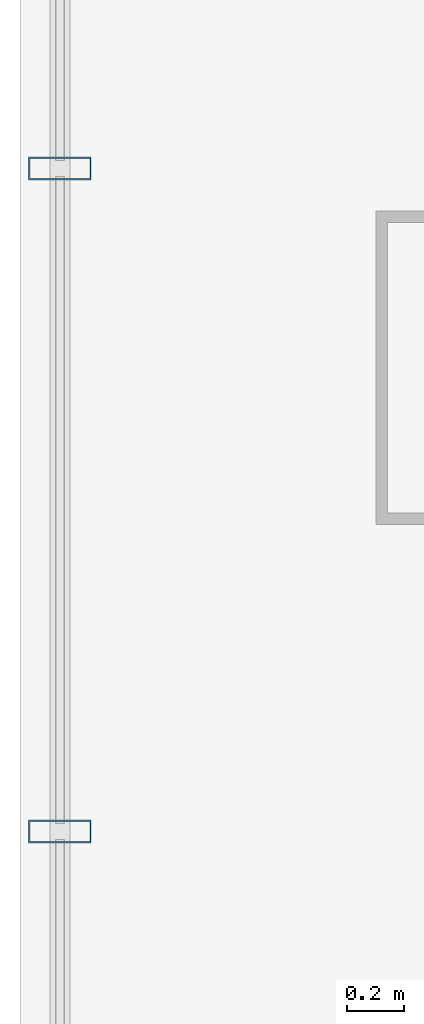
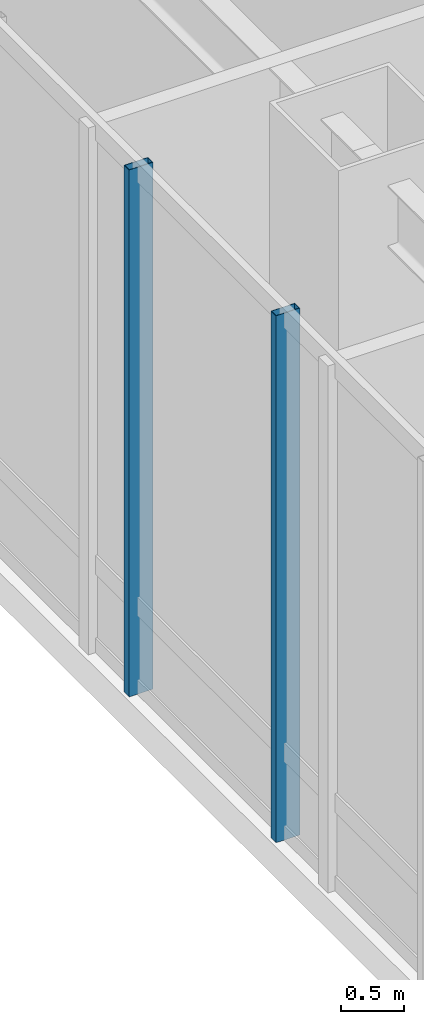
# One storey, part 10 of 35: 2 members, 1 element without a shape of its own.
"""IFC4 building model written with IfcOpenShell, lengths in metres."""

from ifc_helpers import new_model, si_unit, direction, frame, origin, origin_2d, place, context, subcontext, project, spatial, hollow_rectangle, extrude, material, layer, layer_set, material_profile, profile_set, type_object, element, aggregate, save


model = new_model("IFC4")

# Units and contexts
model_context = context("Model", 3, precision=1e-05, world=origin(), true_north=direction((0.0, 1.0)))
body_context = subcontext(model_context, "Body", "Model", "MODEL_VIEW")
ifc_project = project(units=[si_unit("LENGTHUNIT", "METRE"), si_unit("AREAUNIT", "SQUARE_METRE"), si_unit("VOLUMEUNIT", "CUBIC_METRE"), si_unit("PLANEANGLEUNIT", "RADIAN"), si_unit("MASSUNIT", "GRAM", prefix="KILO")], contexts=[model_context])

# Site, building, storey
site_placement = place(None, origin())
site = spatial("IfcSite", under=ifc_project, at=site_placement, CompositionType="ELEMENT")
building_placement = place(site_placement, origin())
building = spatial("IfcBuilding", under=site, at=building_placement, Name="Hatsunagi Terrace Concourse", CompositionType="ELEMENT")
storey_placement = place(building_placement, frame((0.0, 0.0, 16.199951171875)))
storey = spatial("IfcBuildingStorey", under=building, at=storey_placement, Name="L04", CompositionType="ELEMENT", Elevation=16.199951171875)

# Curtain wall, members
ifc_material_1 = material(Name="Anodised Aluminium Alloy 6063-T5", Category="aluminium")
ifc_layer = layer(ifc_material_1, 0.199951171875)
ifc_layer_set = layer_set([ifc_layer], Name="PodiumStorefront_CW01")
curtain_wall_type = type_object("IfcCurtainWallType", Name="PodiumStorefront_CW01", PredefinedType="NOTDEFINED", material=ifc_layer_set)
curtain_wall_placement = place(storey_placement, origin())
curtain_wall = element("IfcCurtainWall", 1, at=curtain_wall_placement, inside=storey, type_object=curtain_wall_type, Name="Unitised Curtain Wall CW-01 CW-L04-10", PredefinedType="NOTDEFINED")
ifc_material_2 = material(Name="Anodised Aluminium Alloy 6063-T5", Category="aluminium")
ifc_material_profile = material_profile(ifc_material_2, hollow_rectangle(XDim=0.080078125, YDim=0.219970703125, WallThickness=0.0048828125, at=origin_2d()), Name="ALU-MUL-220x80x5")
ifc_profile_set = profile_set([ifc_material_profile], Name="Anodised Aluminium Alloy 6063-T5")
member_type = type_object("IfcMemberType", Name="CurtainWallMullion_Heavy_220x80", PredefinedType="MULLION", material=ifc_profile_set)
member_1_placement = place(storey_placement, frame((0.139892578125, 35.172119140625, 0.0), z_axis=(0.0, 0.0, 1.0), x_axis=(0.0, 1.0, 0.0)))
member_1 = element("IfcMember", 2, at=member_1_placement, type_object=member_type, Name="Curtain Wall Mullion MUL-01", PredefinedType="MULLION", context=body_context, shape_type="SweptSolid", body=[
    extrude(hollow_rectangle(XDim=0.080078125, YDim=0.219970703125, WallThickness=0.0048828125, at=origin_2d()), origin(), (0.0, 0.0, 1.0), 5.10009765625),
])
member_2_placement = place(storey_placement, frame((0.139892578125, 37.5, 0.0), z_axis=(0.0, 0.0, 1.0), x_axis=(0.0, 1.0, 0.0)))
member_2 = element("IfcMember", 3, at=member_2_placement, type_object=member_type, Name="Curtain Wall Mullion MUL-01", PredefinedType="MULLION", context=body_context, shape_type="SweptSolid", body=[
    extrude(hollow_rectangle(XDim=0.080078125, YDim=0.219970703125, WallThickness=0.0048828125, at=origin_2d()), origin(), (0.0, 0.0, 1.0), 5.10009765625),
])
aggregate(curtain_wall, [member_1, member_2])

save(model, "model.ifc")
